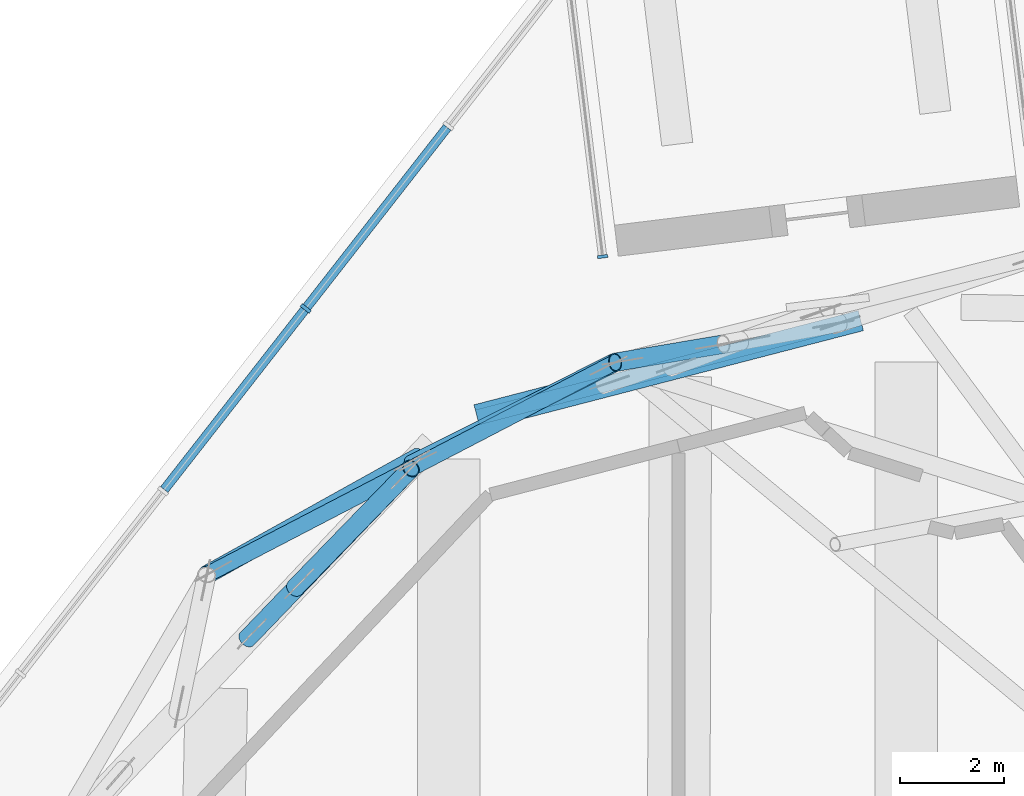
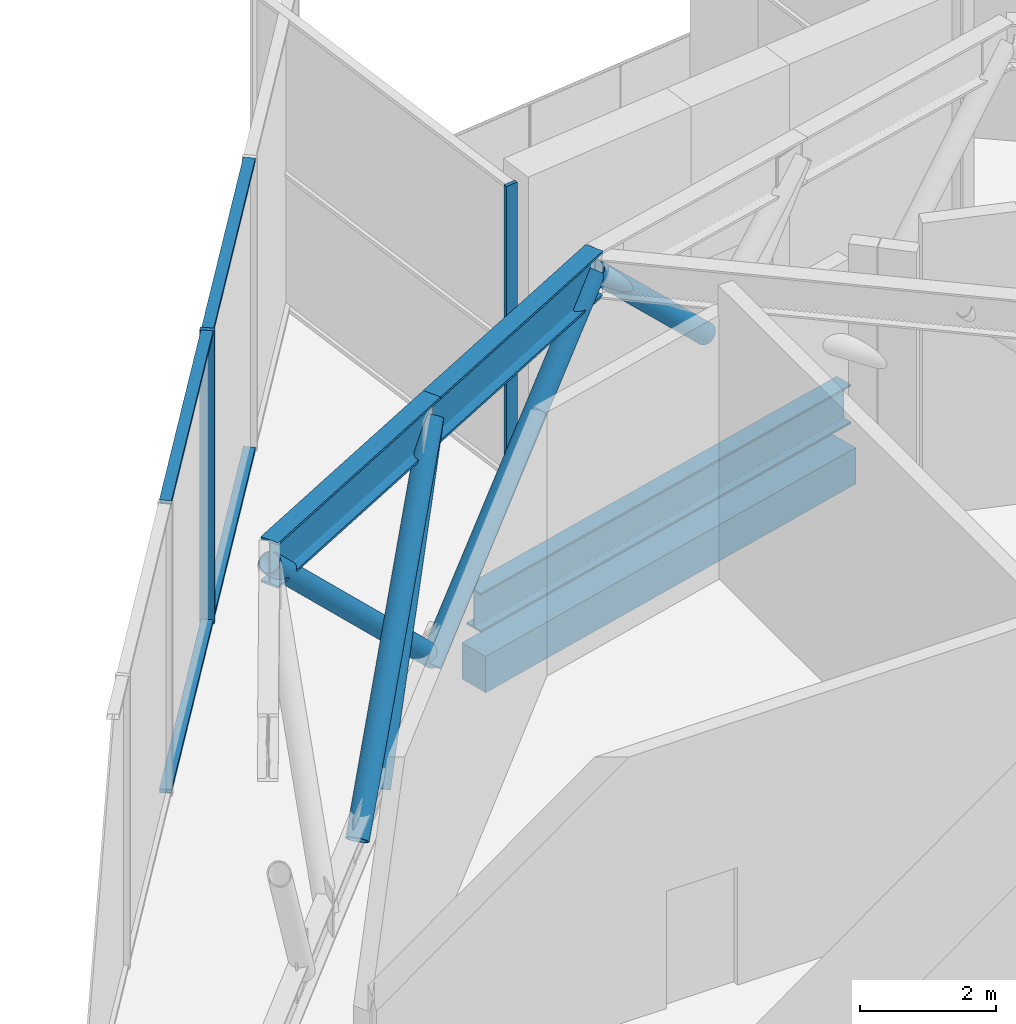
# One storey, part 6 of 23: 11 members, 4 beams, 2 elements without a shape of their own.
"""IFC4 building model written with IfcOpenShell, lengths in metres."""

from ifc_helpers import new_model, si_unit, direction, frame, origin, origin_2d, place, context, subcontext, project, spatial, rectangle, hollow_circle, i_section, extrude, material, material_profile, profile_set, type_object, element, aggregate, save


model = new_model("IFC4")

# Units and contexts
model_context = context("Model", 3, precision=1e-05, world=origin(), true_north=direction((0.0, 1.0)))
body_context = subcontext(model_context, "Body", "Model", "MODEL_VIEW")
ifc_project = project(units=[si_unit("LENGTHUNIT", "METRE"), si_unit("AREAUNIT", "SQUARE_METRE"), si_unit("VOLUMEUNIT", "CUBIC_METRE"), si_unit("PLANEANGLEUNIT", "RADIAN"), si_unit("MASSUNIT", "GRAM", prefix="KILO")], contexts=[model_context])

# Site, building, storey
site_placement = place(None, origin())
site = spatial("IfcSite", under=ifc_project, at=site_placement, CompositionType="ELEMENT")
building_placement = place(site_placement, origin())
building = spatial("IfcBuilding", under=site, at=building_placement, Name="Dilmun Exchange Tower", CompositionType="ELEMENT")
storey_placement = place(building_placement, frame((0.0, 0.0, 237.300048828125)))
storey = spatial("IfcBuildingStorey", under=building, at=storey_placement, Name="L56", CompositionType="ELEMENT", Elevation=237.300048828125)

# Curtain wall, member
ifc_material_1 = material(Name="Anodised aluminium and clear glass", Category="aluminium")
curtain_wall_type_1 = type_object("IfcCurtainWallType", Name="Garden corner glazing", PredefinedType="NOTDEFINED", material=ifc_material_1)
curtain_wall_1_placement = place(storey_placement, origin())
curtain_wall_1 = element("IfcCurtainWall", 1, at=curtain_wall_1_placement, inside=storey, type_object=curtain_wall_type_1, Name="Garden corner glazing run GC3.1", PredefinedType="NOTDEFINED")
ifc_material_2 = material(Name="Anodised aluminium", Category="aluminium")
ifc_material_profile_1 = material_profile(ifc_material_2, rectangle(XDim=0.199951171875, YDim=0.06005859375, at=origin_2d()), Name="AL 60x200")
ifc_profile_set_1 = profile_set([ifc_material_profile_1], Name="Anodised aluminium")
member_type_1 = type_object("IfcMemberType", Name="Garden corner glazing mullion 60 x 200", PredefinedType="MULLION", material=ifc_profile_set_1)
member_1_placement = place(storey_placement, frame((-4.15673828125, 28.4912109375, 0.0), z_axis=(0.0, 0.0, 1.0), x_axis=(-0.992546920814, -0.121863078832, 0.0)))
member_1 = element("IfcMember", 2, at=member_1_placement, type_object=member_type_1, Name="GC3.1 mullion 1", PredefinedType="MULLION", context=body_context, shape_type="SweptSolid", body=[
    extrude(rectangle(XDim=0.199951171875, YDim=0.06005859375, at=origin_2d()), origin(), (0.0, 0.0, 1.0), 5.239990234375),
])
aggregate(curtain_wall_1, [member_1])

# Beam
ifc_material_3 = material(Name="Concrete C40/50", Category="concrete")
ifc_material_profile_2 = material_profile(ifc_material_3, rectangle(XDim=0.5, YDim=0.64990234375, at=origin_2d()), Name="500 x 650")
ifc_profile_set_2 = profile_set([ifc_material_profile_2], Name="Concrete C40/50")
beam_type_1 = type_object("IfcBeamType", Name="RC ring beam 500 x 650 C40/50", PredefinedType="SPANDREL", material=ifc_profile_set_2)
beam_1_placement = place(storey_placement, frame((0.79638671875, 27.3076171875, -0.705078125), z_axis=(-0.967995165605, -0.250968841424, 0.0), x_axis=(0.250968841424, -0.967995165605, 0.0)))
element("IfcBeam", 3, at=beam_1_placement, inside=storey, type_object=beam_type_1, Name="Ring beam 1", PredefinedType="SPANDREL", context=body_context, shape_type="SweptSolid", body=[
    extrude(rectangle(XDim=0.5, YDim=0.64990234375, at=origin_2d()), origin(), (0.0, 0.0, 1.0), 7.607177734375),
])

# Curtain wall, members
curtain_wall_type_2 = type_object("IfcCurtainWallType", Name="Sky lobby glazing", PredefinedType="NOTDEFINED", material=ifc_material_1)
curtain_wall_2_placement = place(storey_placement, origin())
curtain_wall_2 = element("IfcCurtainWall", 4, at=curtain_wall_2_placement, inside=storey, type_object=curtain_wall_type_2, Name="Sky lobby glazing run SL4", PredefinedType="NOTDEFINED")
ifc_material_profile_3 = material_profile(ifc_material_2, rectangle(XDim=0.219970703125, YDim=0.070068359375, at=origin_2d()), Name="AL 70x220")
ifc_profile_set_3 = profile_set([ifc_material_profile_3], Name="Anodised aluminium")
member_type_2 = type_object("IfcMemberType", Name="Sky lobby glazing mullion 70 x 220", PredefinedType="MULLION", material=ifc_profile_set_3)
member_2_placement = place(storey_placement, frame((-9.865234375, 27.49267578125, 0.0), z_axis=(0.0, 0.0, 1.0), x_axis=(0.78801066701, -0.615661586164, 0.0)))
member_2 = element("IfcMember", 5, at=member_2_placement, type_object=member_type_2, Name="SL4 mullion 3", PredefinedType="MULLION", context=body_context, shape_type="SweptSolid", body=[
    extrude(rectangle(XDim=0.219970703125, YDim=0.070068359375, at=origin_2d()), origin(), (0.0, 0.0, 1.0), 5.239990234375),
])
ifc_material_profile_4 = material_profile(ifc_material_2, rectangle(XDim=0.179931640625, YDim=0.070068359375, at=origin_2d()), Name="AL 70x180")
ifc_profile_set_4 = profile_set([ifc_material_profile_4], Name="Anodised aluminium")
member_type_3 = type_object("IfcMemberType", Name="Sky lobby glazing transom 70 x 180", PredefinedType="USERDEFINED", material=ifc_profile_set_4)
member_3_placement = place(storey_placement, frame((-7.144287109375, 30.975341796875, 0.034912109375), z_axis=(-0.615669974548, -0.788004113213, 0.0), x_axis=(0.788004113213, -0.615669974548, 0.0)))
member_3 = element("IfcMember", 6, at=member_3_placement, type_object=member_type_3, Name="SL4 transom 2.1", ObjectType="TRANSOM", PredefinedType="USERDEFINED", context=body_context, shape_type="SweptSolid", body=[
    extrude(rectangle(XDim=0.179931640625, YDim=0.070068359375, at=origin_2d()), origin(), (0.0, 0.0, 1.0), 4.384521484375),
])
member_4_placement = place(storey_placement, frame((-7.144287109375, 30.975341796875, 5.204833984375), z_axis=(-0.615669974548, -0.788004113213, 0.0), x_axis=(0.788004113213, -0.615669974548, 0.0)))
member_4 = element("IfcMember", 7, at=member_4_placement, type_object=member_type_3, Name="SL4 transom 2.2", ObjectType="TRANSOM", PredefinedType="USERDEFINED", context=body_context, shape_type="SweptSolid", body=[
    extrude(rectangle(XDim=0.179931640625, YDim=0.070068359375, at=origin_2d()), origin(), (0.0, 0.0, 1.0), 4.384521484375),
])
member_5_placement = place(storey_placement, frame((-9.88671875, 27.465087890625, 0.034912109375), z_axis=(-0.615669974548, -0.788004113213, 0.0), x_axis=(0.788004113213, -0.615669974548, 0.0)))
member_5 = element("IfcMember", 8, at=member_5_placement, type_object=member_type_3, Name="SL4 transom 3.1", ObjectType="TRANSOM", PredefinedType="USERDEFINED", context=body_context, shape_type="SweptSolid", body=[
    extrude(rectangle(XDim=0.179931640625, YDim=0.070068359375, at=origin_2d()), origin(), (0.0, 0.0, 1.0), 4.384521484375),
])
member_6_placement = place(storey_placement, frame((-9.88671875, 27.465087890625, 5.204833984375), z_axis=(-0.615669974548, -0.788004113213, 0.0), x_axis=(0.788004113213, -0.615669974548, 0.0)))
member_6 = element("IfcMember", 9, at=member_6_placement, type_object=member_type_3, Name="SL4 transom 3.2", ObjectType="TRANSOM", PredefinedType="USERDEFINED", context=body_context, shape_type="SweptSolid", body=[
    extrude(rectangle(XDim=0.179931640625, YDim=0.070068359375, at=origin_2d()), origin(), (0.0, 0.0, 1.0), 4.384521484375),
])
aggregate(curtain_wall_2, [member_2, member_3, member_4, member_5, member_6])

# Beams
ifc_material_4 = material(Name="Steel S355", Category="steel")
ifc_material_profile_5 = material_profile(ifc_material_4, i_section(OverallWidth=0.300048828125, OverallDepth=0.699951171875, WebThickness=0.01708984375, FlangeThickness=0.031982421875, FilletRadius=0.027099609375, at=origin_2d()), Name="HEB 700")
ifc_profile_set_5 = profile_set([ifc_material_profile_5], Name="Steel S355")
beam_type_2 = type_object("IfcBeamType", Name="belt bottom chord HEB 700", PredefinedType="BEAM", material=ifc_profile_set_5)
beam_2_placement = place(storey_placement, frame((0.79638671875, 27.3076171875, 0.349853515625), z_axis=(-0.967995165605, -0.250968841424, 0.0), x_axis=(0.250968841424, -0.967995165605, 0.0)))
element("IfcBeam", 10, at=beam_2_placement, inside=storey, type_object=beam_type_2, Name="Belt bottom chord 1", PredefinedType="BEAM", context=body_context, shape_type="SweptSolid", body=[
    extrude(i_section(OverallWidth=0.300048828125, OverallDepth=0.699951171875, WebThickness=0.01708984375, FlangeThickness=0.031982421875, FilletRadius=0.027099609375, at=origin_2d()), origin(), (0.0, 0.0, 1.0), 7.607177734375),
])
ifc_material_profile_6 = material_profile(ifc_material_4, i_section(OverallWidth=0.302978515625, OverallDepth=0.81396484375, WebThickness=0.02099609375, FlangeThickness=0.0400390625, FilletRadius=0.030029296875, at=origin_2d()), Name="HEM 800")
ifc_profile_set_6 = profile_set([ifc_material_profile_6], Name="Steel S355")
beam_type_3 = type_object("IfcBeamType", Name="transfer chord HEM 800", PredefinedType="BEAM", material=ifc_profile_set_6)
for number, where, z_axis, x_axis, name in (
    (11, (-3.9150390625, 26.45703125, 4.8330078125), (-0.887176160557, -0.461430883383, 0.0), (0.461430883383, -0.887176160557, 0.0), "Transfer chord 1"),
    (12, (-7.842041015625, 24.41455078125, 4.8330078125), (-0.887176160557, -0.461430883383, 0.0), (0.461430883383, -0.887176160557, 0.0), "Transfer chord 2"),
):
    element("IfcBeam", number, at=place(storey_placement, frame(where, z_axis=z_axis, x_axis=x_axis)), inside=storey, type_object=beam_type_3, Name=name, PredefinedType="BEAM", context=body_context, shape_type="SweptSolid", body=[
        extrude(i_section(OverallWidth=0.302978515625, OverallDepth=0.81396484375, WebThickness=0.02099609375, FlangeThickness=0.0400390625, FilletRadius=0.030029296875, at=origin_2d()), origin(), (0.0, 0.0, 1.0), 4.426513671875),
    ])

# Members
ifc_material_profile_7 = material_profile(ifc_material_4, hollow_circle(Radius=0.177734375, WallThickness=0.02001953125, at=origin_2d()), Name="CHS 355.6x20")
ifc_profile_set_7 = profile_set([ifc_material_profile_7], Name="Steel S355")
member_type_4 = type_object("IfcMemberType", Name="truss diagonal CHS 355.6x20", PredefinedType="BRACE", material=ifc_profile_set_7)
member_7_placement = place(storey_placement, frame((-3.9150390625, 26.45703125, 4.8330078125), z_axis=(-0.624946941566, -0.313271739355, -0.715053940307), x_axis=(0.448126883797, -0.893969963711, 0.0)))
element("IfcMember", 13, at=member_7_placement, inside=storey, type_object=member_type_4, Name="Truss diagonal 1", PredefinedType="BRACE", context=body_context, shape_type="SweptSolid", body=[
    extrude(hollow_circle(Radius=0.177734375, WallThickness=0.02001953125, at=origin_2d()), origin(), (0.0, 0.0, 1.0), 6.269775390625),
])
member_8_placement = place(storey_placement, frame((-3.9150390625, 26.45703125, 4.8330078125), z_axis=(0.703369507145, 0.118411818883, -0.700892272441), x_axis=(-0.166013280502, 0.986123516958, 0.0)))
element("IfcMember", 14, at=member_8_placement, inside=storey, type_object=member_type_4, Name="Truss diagonal 2", PredefinedType="BRACE", context=body_context, shape_type="SweptSolid", body=[
    extrude(hollow_circle(Radius=0.177734375, WallThickness=0.02001953125, at=origin_2d()), origin(), (0.0, 0.0, 1.0), 2.95654296875),
])
member_9_placement = place(storey_placement, frame((-7.842041015625, 24.41455078125, 4.8330078125), z_axis=(-0.404712948277, -0.416857439333, -0.81390251552), x_axis=(0.717480882286, -0.696578196295, 0.0)))
element("IfcMember", 15, at=member_9_placement, inside=storey, type_object=member_type_4, Name="Truss diagonal 3", PredefinedType="BRACE", context=body_context, shape_type="SweptSolid", body=[
    extrude(hollow_circle(Radius=0.177734375, WallThickness=0.02001953125, at=origin_2d()), origin(), (0.0, 0.0, 1.0), 5.50830078125),
])
member_10_placement = place(storey_placement, frame((-7.842041015625, 24.41455078125, 4.8330078125), z_axis=(-0.493956589655, -0.513257740829, -0.701835720817), x_axis=(0.720524718032, -0.693429254289, 0.0)))
element("IfcMember", 16, at=member_10_placement, inside=storey, type_object=member_type_4, Name="Truss diagonal 4", PredefinedType="BRACE", context=body_context, shape_type="SweptSolid", body=[
    extrude(hollow_circle(Radius=0.177734375, WallThickness=0.02001953125, at=origin_2d()), origin(), (0.0, 0.0, 1.0), 6.3876953125),
])
member_11_placement = place(storey_placement, frame((-11.76904296875, 22.3720703125, 4.8330078125), z_axis=(0.62979548374, 0.350440057277, -0.693216715693), x_axis=(-0.486229856474, 0.873830948567, 0.0)))
element("IfcMember", 17, at=member_11_placement, inside=storey, type_object=member_type_4, Name="Truss diagonal 5", PredefinedType="BRACE", context=body_context, shape_type="SweptSolid", body=[
    extrude(hollow_circle(Radius=0.177734375, WallThickness=0.02001953125, at=origin_2d()), origin(), (0.0, 0.0, 1.0), 6.46728515625),
])

save(model, "model.ifc")
